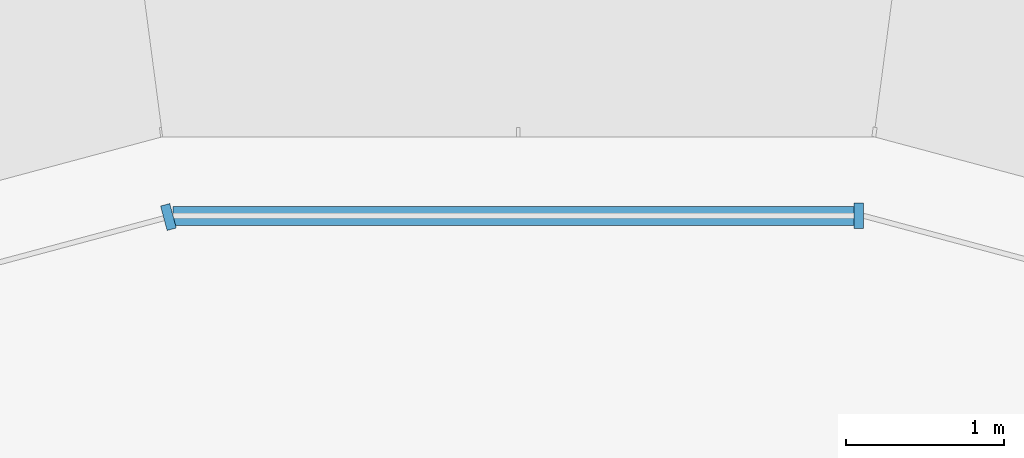
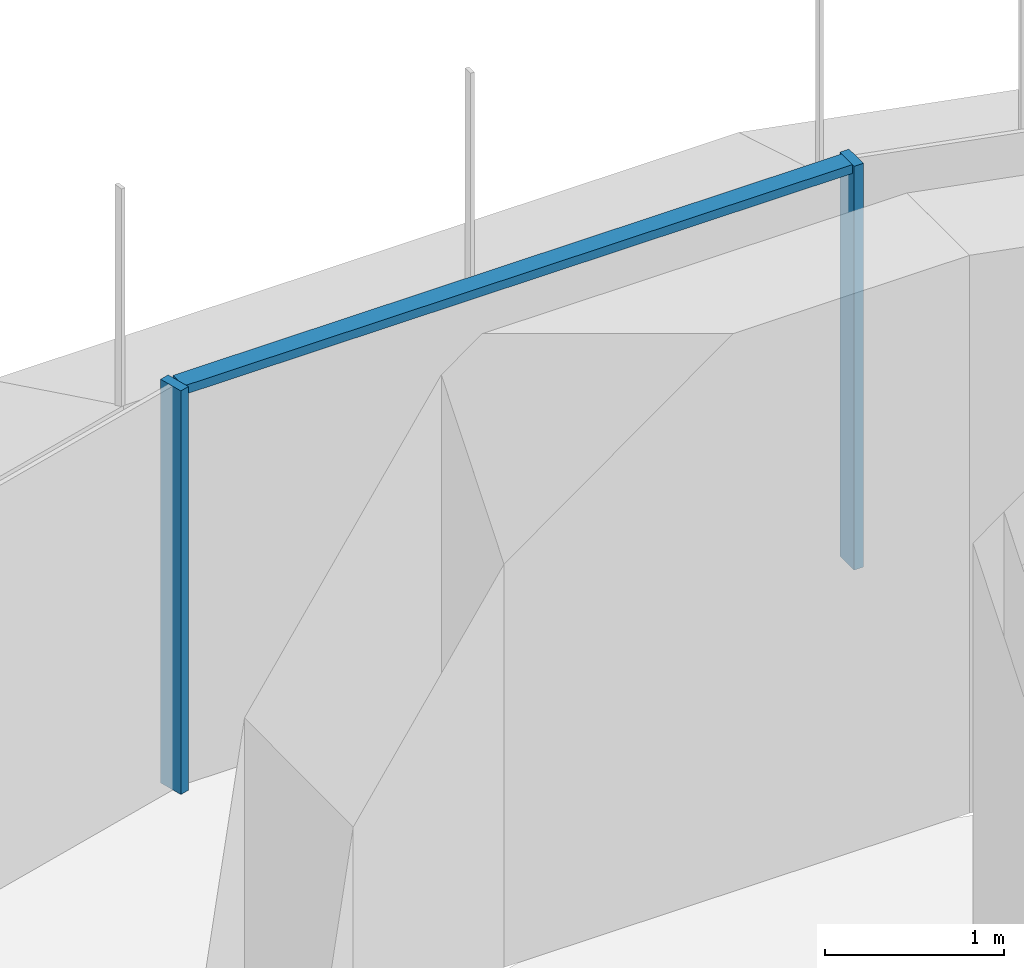
# One storey, part 11 of 20: 3 members, 2 elements without a shape of their own.
"""IFC4 building model written with IfcOpenShell, lengths in metres."""

from ifc_helpers import new_model, si_unit, direction, frame, origin, place, context, subcontext, project, spatial, polyline, outline, extrude, source, transform, mapped, material, type_object, element, aggregate, save


model = new_model("IFC4")

# Units and contexts
model_context = context("Model", 3, precision=1e-05, world=origin(), true_north=direction((0.0, 1.0)))
body_context = subcontext(model_context, "Body", "Model", "MODEL_VIEW")
ifc_project = project(units=[si_unit("LENGTHUNIT", "METRE"), si_unit("AREAUNIT", "SQUARE_METRE"), si_unit("VOLUMEUNIT", "CUBIC_METRE"), si_unit("PLANEANGLEUNIT", "RADIAN"), si_unit("MASSUNIT", "GRAM", prefix="KILO")], contexts=[model_context])

# Site, building, storey
site_placement = place(None, origin())
site = spatial("IfcSite", under=ifc_project, at=site_placement, CompositionType="ELEMENT")
building_placement = place(site_placement, origin())
building = spatial("IfcBuilding", under=site, at=building_placement, Name="Zarbagh Exchange Tower", CompositionType="ELEMENT")
storey_placement = place(building_placement, frame((0.0, 0.0, 152.39990234375)))
storey = spatial("IfcBuildingStorey", under=building, at=storey_placement, Name="L36", CompositionType="ELEMENT", Elevation=152.39990234375)

# Curtain wall, member
ifc_material_1 = material(Name="Anodised aluminium frame and glazing", Category="aluminium")
curtain_wall_type = type_object("IfcCurtainWallType", Name="CWB Ribbon glazing, upper zones", PredefinedType="NOTDEFINED", material=ifc_material_1)
curtain_wall_1_placement = place(storey_placement, origin())
curtain_wall_1 = element("IfcCurtainWall", 1, at=curtain_wall_1_placement, inside=storey, type_object=curtain_wall_type, Name="CWB24 curtain wall", PredefinedType="NOTDEFINED")
ifc_material_2 = material(Name="Anodised aluminium frame", Category="aluminium")
member_type_1 = type_object("IfcMemberType", Name="MUB Mullion, anodised aluminium frame", PredefinedType="MULLION", material=ifc_material_2)
shared_shape_1 = source(origin(), body_context, "Body", "SweptSolid", [
    extrude(outline(polyline([(0.0, -0.080078125), (0.06005859375, -0.080078125), (0.06005859375, 0.080078125), (0.0, 0.080078125), (0.0, -0.080078125)])), origin(), (0.0, 0.0, 1.0), 2.75),
])
placement = place(storey_placement, origin())
member_1 = element("IfcMember", 2, at=placement, type_object=member_type_1, Name="CWB24 mullion 1.1", PredefinedType="MULLION", context=body_context, shape_type="MappedRepresentation", body=[
    mapped(shared_shape_1, transform((2.18408203125, 31.0, 0.0), x_axis=(-1.0, 0.0, 0.0), y_axis=(0.0, -1.0, 0.0), z_axis=(0.0, 0.0, 1.0))),
])

curtain_wall_2_placement = place(storey_placement, origin())
curtain_wall_2 = element("IfcCurtainWall", 3, at=curtain_wall_2_placement, inside=storey, type_object=curtain_wall_type, Name="CWB25 curtain wall", PredefinedType="NOTDEFINED")
member_2 = element("IfcMember", 4, at=placement, type_object=member_type_1, Name="CWB25 mullion 1.1", PredefinedType="MULLION", context=body_context, shape_type="MappedRepresentation", body=[
    mapped(shared_shape_1, transform((-2.18408203125, 31.0, 0.0), x_axis=(-0.965924289636, -0.258824779902, 0.0), y_axis=(0.258824779902, -0.965924289636, 0.0), z_axis=(0.0, 0.0, 1.0))),
])
aggregate(curtain_wall_2, [member_2])

# Member
member_type_2 = type_object("IfcMemberType", Name="TRB Transom, anodised aluminium frame", PredefinedType="USERDEFINED", material=ifc_material_2)
shared_shape_2 = source(origin(), body_context, "Body", "SweptSolid", [
    extrude(outline(polyline([(-0.06005859375, -0.06005859375), (0.0, -0.06005859375), (0.0, 0.06005859375), (-0.06005859375, 0.06005859375), (-0.06005859375, -0.06005859375)])), origin(), (0.0, 0.0, 1.0), 4.308349609375),
])
member_3 = element("IfcMember", 5, at=placement, type_object=member_type_2, Name="CWB24 transom 1.1", ObjectType="TRANSOM", PredefinedType="USERDEFINED", context=body_context, shape_type="MappedRepresentation", body=[
    mapped(shared_shape_2, transform((2.124267578125, 31.0, 2.75), x_axis=(0.0, 0.0, 1.0), y_axis=(0.0, 1.0, 0.0), z_axis=(-1.0, 0.0, 0.0))),
])

aggregate(curtain_wall_1, [member_1, member_3])

save(model, "model.ifc")
